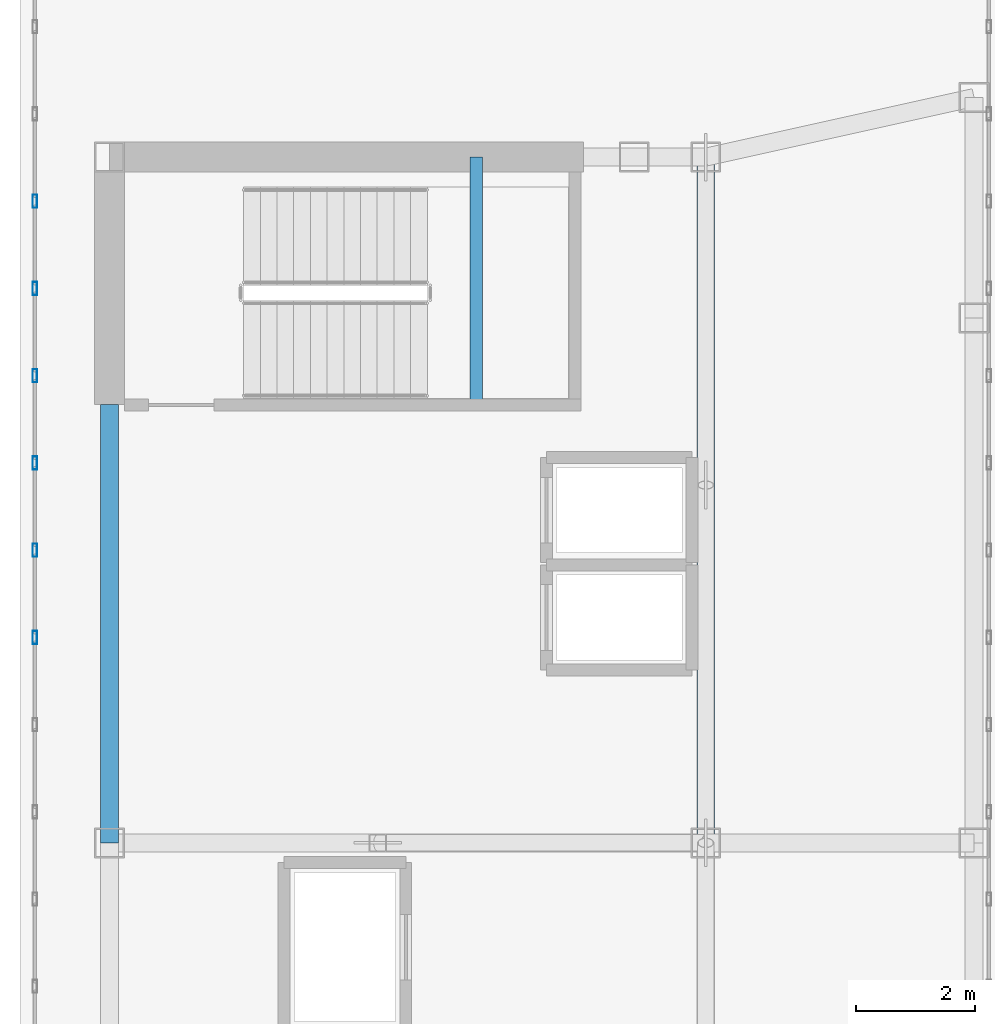
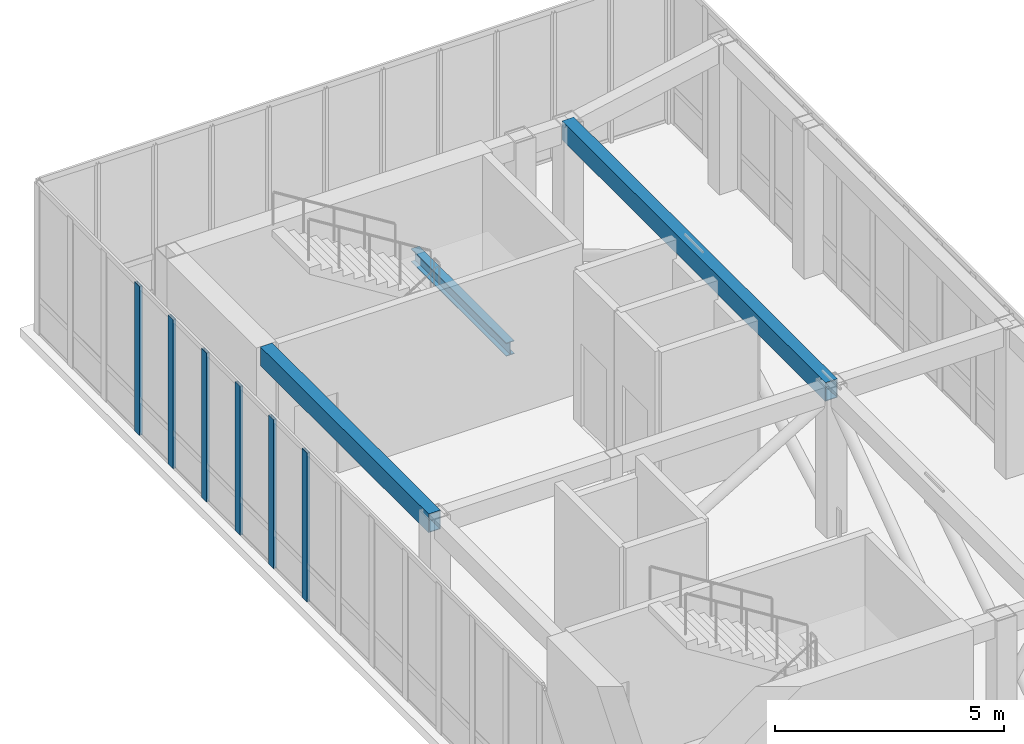
# One storey, part 7 of 13: 6 members, 3 beams, 1 element without a shape of its own.
"""IFC4 building model written with IfcOpenShell, lengths in metres."""

import ifcopenshell
import ifcopenshell.guid

model = None  # the IFC model being written
_history = None  # IfcOwnerHistory: only IFC2X3 demands one
_inside = {}  # id of a spatial element -> (the spatial element, [elements in it])
_under = {}  # id of a project, library or spatial element -> (it, [spatial elements below it])
_declared = {}  # id of a project -> (the project, [libraries it declares])
_typed = {}  # id of a type object -> (the type object, [elements of that type])
_made_of = {}  # id of a material, layer set ... -> (it, [elements and type objects made of it])


def new_model(schema):
    """Start an empty IFC model of exactly this schema.

    Asked for "IFC4X3", IfcOpenShell would pick the latest addendum, in which some entities
    have other attributes; the version numbers below select the first issue.
    IFC2X3 requires an IfcOwnerHistory on every rooted entity: one is made here for all.
    """
    global model, _history
    if schema == "IFC4X3":
        model = ifcopenshell.file(schema_version=(4, 3, 0, 0))
    else:
        model = ifcopenshell.file(schema=schema)
    _inside.clear()
    _under.clear()
    _declared.clear()
    _typed.clear()
    _made_of.clear()
    _history = None
    if model.schema == "IFC2X3":
        org = make("IfcOrganization", Name="unknown")
        user = make(
            "IfcPersonAndOrganization",
            ThePerson=make("IfcPerson", FamilyName="unknown"),
            TheOrganization=org,
        )
        app = make(
            "IfcApplication",
            ApplicationDeveloper=org,
            Version="unknown",
            ApplicationFullName="unknown",
            ApplicationIdentifier="unknown",
        )
        _history = make(
            "IfcOwnerHistory",
            OwningUser=user,
            OwningApplication=app,
            ChangeAction="ADDED",
            CreationDate=0,
        )
    return model


def make(cls, **values):
    """One entity of the class cls with the attributes given. An attribute that is None is left unset."""
    return model.create_entity(
        cls, **{name: value for name, value in values.items() if value is not None}
    )


def rooted(cls, **values):
    """An entity with a GlobalId (a new one), such as an element, a storey or a relation."""
    return make(cls, GlobalId=ifcopenshell.guid.new(), OwnerHistory=_history, **values)


def si_unit(unit_type, name, prefix=None):
    """IfcSIUnit, for example si_unit("LENGTHUNIT", "METRE", prefix="MILLI")."""
    return make("IfcSIUnit", UnitType=unit_type, Prefix=prefix, Name=name)


def assignment(units):
    """IfcUnitAssignment: the units of a project."""
    return None if units is None else make("IfcUnitAssignment", Units=units)


def point(xyz):
    """IfcCartesianPoint."""
    return None if xyz is None else make("IfcCartesianPoint", Coordinates=xyz)


def direction(xyz):
    """IfcDirection."""
    return None if xyz is None else make("IfcDirection", DirectionRatios=xyz)


def frame(location, z_axis=None, x_axis=None):
    """IfcAxis2Placement3D, a coordinate frame: its origin and axes. An axis left out is left unset."""
    return make(
        "IfcAxis2Placement3D",
        Location=point(location),
        Axis=direction(z_axis),
        RefDirection=direction(x_axis),
    )


def frame_2d(location, x_axis=None):
    """IfcAxis2Placement2D, a coordinate frame in the plane: its origin and x axis."""
    return make(
        "IfcAxis2Placement2D", Location=point(location), RefDirection=direction(x_axis)
    )


def origin():
    """The frame at (0, 0, 0) with its axes left unset."""
    return frame((0.0, 0.0, 0.0))


def origin_2d():
    """The frame at (0, 0) in the plane with its x axis left unset."""
    return frame_2d((0.0, 0.0))


def place(relative_to, where):
    """IfcLocalPlacement: puts the frame where relative to a parent placement (None: the world)."""
    return make(
        "IfcLocalPlacement", PlacementRelTo=relative_to, RelativePlacement=where
    )


def context(
    kind, dimensions, precision=None, world=None, true_north=None, identifier=None
):
    """IfcGeometricRepresentationContext, for example the 3D "Model" context."""
    return make(
        "IfcGeometricRepresentationContext",
        ContextIdentifier=identifier,
        ContextType=kind,
        CoordinateSpaceDimension=dimensions,
        Precision=precision,
        WorldCoordinateSystem=world,
        TrueNorth=true_north,
    )


def subcontext(parent, identifier, kind, view, scale=None):
    """IfcGeometricRepresentationSubContext, for example "Body" below "Model"."""
    return make(
        "IfcGeometricRepresentationSubContext",
        ContextIdentifier=identifier,
        ContextType=kind,
        ParentContext=parent,
        TargetScale=scale,
        TargetView=view,
    )


def project(units=None, contexts=None):
    """IfcProject with its units and contexts."""
    return rooted(
        "IfcProject",
        Name="project",
        RepresentationContexts=contexts,
        UnitsInContext=assignment(units),
    )


def spatial(cls, under=None, at=None, **own):
    """A site, building, storey or space (cls), placed at a placement, below another one or the project."""
    s = rooted(cls, ObjectPlacement=at, **own)
    if under is not None:
        _under.setdefault(under.id(), (under, []))[1].append(s)
    return s


def profile(cls, at=None, kind="AREA", **sizes):
    """A parametric profile (cls). Its sizes go by their IFC names, for example OverallWidth=200.0."""
    return make(cls, ProfileType=kind, Position=at, **sizes)


def hollow_rectangle(**sizes):
    """IfcRectangleHollowProfileDef."""
    return profile("IfcRectangleHollowProfileDef", **sizes)


def i_section(**sizes):
    """IfcIShapeProfileDef."""
    return profile("IfcIShapeProfileDef", **sizes)


def extrude(swept, where, along, depth):
    """IfcExtrudedAreaSolid: the profile swept, set in the frame where, extruded along a direction by depth."""
    return make(
        "IfcExtrudedAreaSolid",
        SweptArea=swept,
        Position=where,
        ExtrudedDirection=direction(along),
        Depth=depth,
    )


def shape(context_of_items, identifier, shape_type, items):
    """IfcShapeRepresentation: the items that make up one representation, for example the "Body"."""
    return make(
        "IfcShapeRepresentation",
        ContextOfItems=context_of_items,
        RepresentationIdentifier=identifier,
        RepresentationType=shape_type,
        Items=items,
    )


def source(mapping_origin, context_of_items, identifier, shape_type, items):
    """IfcRepresentationMap: a shape defined once, which mapped items show again and again."""
    return make(
        "IfcRepresentationMap",
        MappingOrigin=mapping_origin,
        MappedRepresentation=shape(context_of_items, identifier, shape_type, items),
    )


def transform(
    local_origin,
    x_axis=None,
    y_axis=None,
    z_axis=None,
    scale=None,
    scale2=None,
    scale3=None,
    uniform=True,
):
    """IfcCartesianTransformationOperator3D, or its non-uniform kind. x_axis, y_axis, z_axis: its Axis1, 2, 3."""
    if uniform:
        return make(
            "IfcCartesianTransformationOperator3D",
            Axis1=direction(x_axis),
            Axis2=direction(y_axis),
            LocalOrigin=point(local_origin),
            Scale=scale,
            Axis3=direction(z_axis),
        )
    return make(
        "IfcCartesianTransformationOperator3DnonUniform",
        Axis1=direction(x_axis),
        Axis2=direction(y_axis),
        LocalOrigin=point(local_origin),
        Scale=scale,
        Axis3=direction(z_axis),
        Scale2=scale2,
        Scale3=scale3,
    )


def mapped(mapping_source, mapping_target):
    """IfcMappedItem: shows the shape of a source again, moved by a transform."""
    return make(
        "IfcMappedItem", MappingSource=mapping_source, MappingTarget=mapping_target
    )


def material(Name=None, Category=None):
    """IfcMaterial."""
    return make("IfcMaterial", Name=Name, Category=Category)


def layer(
    of_material, thickness, ventilated=None, Name=None, Category=None, Priority=None
):
    """IfcMaterialLayer: one layer of a wall or slab, of a material (None: an air gap)."""
    return make(
        "IfcMaterialLayer",
        Material=of_material,
        LayerThickness=thickness,
        IsVentilated=ventilated,
        Name=Name,
        Category=Category,
        Priority=Priority,
    )


def layer_set(layers, Name=None):
    """IfcMaterialLayerSet."""
    return make("IfcMaterialLayerSet", MaterialLayers=layers, LayerSetName=Name)


def material_profile(
    of_material, cross_section, Name=None, Category=None, Priority=None
):
    """IfcMaterialProfile: a cross section and its material."""
    return make(
        "IfcMaterialProfile",
        Name=Name,
        Material=of_material,
        Profile=cross_section,
        Priority=Priority,
        Category=Category,
    )


def profile_set(profiles, Name=None, composite=None):
    """IfcMaterialProfileSet."""
    return make(
        "IfcMaterialProfileSet",
        Name=Name,
        MaterialProfiles=profiles,
        CompositeProfile=composite,
    )


def made_of(thing, what):
    """Note that an element or type object is made of a material, layer set ...; save() writes the relation."""
    if what is not None:
        _made_of.setdefault(what.id(), (what, []))[1].append(thing)
    return thing


def type_object(cls, material=None, **own):
    """A type object (cls), such as IfcWallType, which elements share."""
    return made_of(rooted(cls, **own), material)


def element(
    cls,
    number,
    at=None,
    inside=None,
    cuts=None,
    type_object=None,
    material=None,
    context=None,
    identifier="Body",
    shape_type=None,
    held_by="IfcProductDefinitionShape",
    body=None,
    shapes=None,
    **own,
):
    """One element of the class cls, such as IfcWall. Its Tag is "e" and its number.

    at: its placement. inside: the storey or other place that contains it. cuts: it is an
    opening in that element (IfcRelVoidsElement). A single representation is given by context,
    identifier, shape_type and body (its items); several are given by shapes. held_by: the class
    of the entity that holds the representations. save() writes the other relations.
    """
    e = rooted(cls, Tag="e%d" % number, ObjectPlacement=at, **own)
    if body is not None:
        shapes = [shape(context, identifier, shape_type, body)]
    if shapes is not None:
        e.Representation = make(held_by, Representations=shapes)
    if inside is not None:
        _inside.setdefault(inside.id(), (inside, []))[1].append(e)
    if cuts is not None:
        rooted(
            "IfcRelVoidsElement", RelatingBuildingElement=cuts, RelatedOpeningElement=e
        )
    if type_object is not None:
        _typed.setdefault(type_object.id(), (type_object, []))[1].append(e)
    return made_of(e, material)


def aggregate(whole, parts):
    """IfcRelAggregates: a whole, such as a stair, and the parts it consists of."""
    return rooted("IfcRelAggregates", RelatingObject=whole, RelatedObjects=parts)


def save(model, path):
    """Write the relations noted so far, then the file.

    IfcRelAggregates (storeys below a building ...), IfcRelContainedInSpatialStructure (elements
    in a storey), IfcRelDefinesByType, IfcRelAssociatesMaterial and IfcRelDeclares: one each for
    every whole, place, type object, material and project.
    """
    for whole, parts in _under.values():
        aggregate(whole, parts)
    for where, things in _inside.values():
        rooted(
            "IfcRelContainedInSpatialStructure",
            RelatedElements=things,
            RelatingStructure=where,
        )
    for kind, things in _typed.values():
        rooted("IfcRelDefinesByType", RelatedObjects=things, RelatingType=kind)
    for what, things in _made_of.values():
        rooted("IfcRelAssociatesMaterial", RelatedObjects=things, RelatingMaterial=what)
    for by, libraries in _declared.values():
        rooted("IfcRelDeclares", RelatingContext=by, RelatedDefinitions=libraries)
    model.write(path)


model = new_model("IFC4")

# Units and contexts
model_context = context("Model", 3, precision=1e-05, world=origin(), true_north=direction((0.0, 1.0)))
body_context = subcontext(model_context, "Body", "Model", "MODEL_VIEW")
ifc_project = project(units=[si_unit("LENGTHUNIT", "METRE"), si_unit("AREAUNIT", "SQUARE_METRE"), si_unit("VOLUMEUNIT", "CUBIC_METRE"), si_unit("PLANEANGLEUNIT", "RADIAN"), si_unit("MASSUNIT", "GRAM", prefix="KILO")], contexts=[model_context])

# Site, building, storey
site_placement = place(None, origin())
site = spatial("IfcSite", under=ifc_project, at=site_placement, CompositionType="ELEMENT")
building_placement = place(site_placement, origin())
building = spatial("IfcBuilding", under=site, at=building_placement, Name="Kharzan Plaza Tower", CompositionType="ELEMENT")
storey_placement = place(building_placement, frame((0.0, 0.0, 294.0)))
storey = spatial("IfcBuildingStorey", under=building, at=storey_placement, Name="L79-CROWN", CompositionType="ELEMENT", Elevation=294.0)

# Beams
ifc_material_1 = material(Name="Steel S355", Category="steel")
ifc_material_profile_1 = material_profile(ifc_material_1, i_section(OverallWidth=0.205078125, OverallDepth=0.35400390625, WebThickness=0.009521484375, FlangeThickness=0.016845703125, at=origin_2d()), Name="W360x79")
ifc_profile_set_1 = profile_set([ifc_material_profile_1], Name="Steel S355")
beam_type_1 = type_object("IfcBeamType", Name="BM-LNT360", PredefinedType="LINTEL", material=ifc_profile_set_1)
shared_shape_1 = source(origin(), body_context, "Body", "SweptSolid", [
    extrude(i_section(OverallWidth=0.205078125, OverallDepth=0.35400390625, WebThickness=0.009521484375, FlangeThickness=0.016845703125, at=origin_2d()), origin(), (0.0, 0.0, 1.0), 4.155029296875),
])
beam_1_placement = place(storey_placement, frame((10.64990234375, 25.344970703125, 1.722900390625), z_axis=(0.0, 1.0, 0.0), x_axis=(-1.0, 0.0, 0.0)))
element("IfcBeam", 1, at=beam_1_placement, inside=storey, type_object=beam_type_1, Name="L79-CROWN Stair ST-2 Half-Landing Beam", PredefinedType="LINTEL", context=body_context, shape_type="MappedRepresentation", body=[
    mapped(shared_shape_1, transform((0.0, 0.0, 0.0), x_axis=(1.0, 0.0, 0.0), y_axis=(0.0, 1.0, 0.0), z_axis=(0.0, 0.0, 1.0))),
])
ifc_material_profile_2 = material_profile(ifc_material_1, hollow_rectangle(XDim=0.300048828125, YDim=0.5, WallThickness=0.02001953125, at=origin_2d()), Name="RHS500x300x20")
ifc_profile_set_2 = profile_set([ifc_material_profile_2], Name="Steel S355")
beam_type_2 = type_object("IfcBeamType", Name="BM-CRN500", PredefinedType="BEAM", material=ifc_profile_set_2)
shared_shape_2 = source(origin(), body_context, "Body", "SweptSolid", [
    extrude(hollow_rectangle(XDim=0.300048828125, YDim=0.5, WallThickness=0.02001953125, at=origin_2d()), origin(), (0.0, 0.0, 1.0), 11.5),
])
beam_2_placement = place(storey_placement, frame((14.5, 18.0, 3.719970703125), z_axis=(0.0, 1.0, 0.0), x_axis=(-1.0, 0.0, 0.0)))
element("IfcBeam", 2, at=beam_2_placement, inside=storey, type_object=beam_type_2, Name="L79-CROWN CROWN FRAME Lantern Ring Beam CRB-M2", PredefinedType="BEAM", context=body_context, shape_type="MappedRepresentation", body=[
    mapped(shared_shape_2, transform((0.0, 0.0, 0.0), x_axis=(1.0, 0.0, 0.0), y_axis=(0.0, 1.0, 0.0), z_axis=(0.0, 0.0, 1.0))),
])
shared_shape_3 = source(origin(), body_context, "Body", "SweptSolid", [
    extrude(hollow_rectangle(XDim=0.300048828125, YDim=0.5, WallThickness=0.02001953125, at=origin_2d()), origin(), (0.0, 0.0, 1.0), 7.35009765625),
])
beam_3_placement = place(storey_placement, frame((4.5, 18.0, 3.719970703125), z_axis=(0.0, 1.0, 0.0), x_axis=(-1.0, 0.0, 0.0)))
element("IfcBeam", 3, at=beam_3_placement, inside=storey, type_object=beam_type_2, Name="L79-CROWN CROWN FRAME Lantern Ring Beam CRB-W2", PredefinedType="BEAM", context=body_context, shape_type="MappedRepresentation", body=[
    mapped(shared_shape_3, transform((0.0, 0.0, 0.0), x_axis=(1.0, 0.0, 0.0), y_axis=(0.0, 1.0, 0.0), z_axis=(0.0, 0.0, 1.0))),
])

# Curtain wall, members
ifc_material_2 = material(Name="Unitised Bronze-Anodized Aluminium and Low-E Glass", Category="aluminium")
ifc_layer = layer(ifc_material_2, 0.199951171875)
ifc_layer_set = layer_set([ifc_layer], Name="Unitised Bronze-Anodized Aluminium and Low-E Glass")
curtain_wall_type = type_object("IfcCurtainWallType", Name="CW-LANTERN-6", PredefinedType="NOTDEFINED", material=ifc_layer_set)
curtain_wall_placement = place(storey_placement, origin())
curtain_wall = element("IfcCurtainWall", 4, at=curtain_wall_placement, inside=storey, type_object=curtain_wall_type, Name="L79-CROWN Lantern Crown Illuminated Curtain Wall 4", PredefinedType="NOTDEFINED")
ifc_material_3 = material(Name="Anodized Bronze Aluminium", Category="aluminium")
ifc_material_profile_3 = material_profile(ifc_material_3, hollow_rectangle(XDim=0.074951171875, YDim=0.219970703125, WallThickness=0.00390625, at=origin_2d()), Name="ALU-M220x75x4")
ifc_profile_set_3 = profile_set([ifc_material_profile_3], Name="Anodized Bronze Aluminium")
member_type = type_object("IfcMemberType", Name="MEM-CW-MUL200", PredefinedType="MULLION", material=ifc_profile_set_3)
shared_shape_4 = source(origin(), body_context, "Body", "SweptSolid", [
    extrude(hollow_rectangle(XDim=0.074951171875, YDim=0.219970703125, WallThickness=0.00390625, at=origin_2d()), origin(), (0.0, 0.0, 1.0), 3.969970703125),
])
member_1_placement = place(storey_placement, frame((3.25, 28.760498046875, 0.0), z_axis=(0.0, 0.0, 1.0), x_axis=(1.0, 0.0, 0.0)))
member_1 = element("IfcMember", 5, at=member_1_placement, type_object=member_type, Name="L79-CROWN Curtain-Wall Mullion 03", PredefinedType="MULLION", context=body_context, shape_type="MappedRepresentation", body=[
    mapped(shared_shape_4, transform((0.0, 0.0, 0.0), x_axis=(1.0, 0.0, 0.0), y_axis=(0.0, 1.0, 0.0), z_axis=(0.0, 0.0, 1.0))),
])
member_2_placement = place(storey_placement, frame((3.25, 27.29736328125, 0.0), z_axis=(0.0, 0.0, 1.0), x_axis=(1.0, 0.0, 0.0)))
member_2 = element("IfcMember", 6, at=member_2_placement, type_object=member_type, Name="L79-CROWN Curtain-Wall Mullion 04", PredefinedType="MULLION", context=body_context, shape_type="MappedRepresentation", body=[
    mapped(shared_shape_4, transform((0.0, 0.0, 0.0), x_axis=(1.0, 0.0, 0.0), y_axis=(0.0, 1.0, 0.0), z_axis=(0.0, 0.0, 1.0))),
])
member_3_placement = place(storey_placement, frame((3.25, 25.834228515625, 0.0), z_axis=(0.0, 0.0, 1.0), x_axis=(1.0, 0.0, 0.0)))
member_3 = element("IfcMember", 7, at=member_3_placement, type_object=member_type, Name="L79-CROWN Curtain-Wall Mullion 05", PredefinedType="MULLION", context=body_context, shape_type="MappedRepresentation", body=[
    mapped(shared_shape_4, transform((0.0, 0.0, 0.0), x_axis=(1.0, 0.0, 0.0), y_axis=(0.0, 1.0, 0.0), z_axis=(0.0, 0.0, 1.0))),
])
member_4_placement = place(storey_placement, frame((3.25, 24.37109375, 0.0), z_axis=(0.0, 0.0, 1.0), x_axis=(1.0, 0.0, 0.0)))
member_4 = element("IfcMember", 8, at=member_4_placement, type_object=member_type, Name="L79-CROWN Curtain-Wall Mullion 06", PredefinedType="MULLION", context=body_context, shape_type="MappedRepresentation", body=[
    mapped(shared_shape_4, transform((0.0, 0.0, 0.0), x_axis=(1.0, 0.0, 0.0), y_axis=(0.0, 1.0, 0.0), z_axis=(0.0, 0.0, 1.0))),
])
member_5_placement = place(storey_placement, frame((3.25, 22.907958984375, 0.0), z_axis=(0.0, 0.0, 1.0), x_axis=(1.0, 0.0, 0.0)))
member_5 = element("IfcMember", 9, at=member_5_placement, type_object=member_type, Name="L79-CROWN Curtain-Wall Mullion 07", PredefinedType="MULLION", context=body_context, shape_type="MappedRepresentation", body=[
    mapped(shared_shape_4, transform((0.0, 0.0, 0.0), x_axis=(1.0, 0.0, 0.0), y_axis=(0.0, 1.0, 0.0), z_axis=(0.0, 0.0, 1.0))),
])
member_6_placement = place(storey_placement, frame((3.25, 21.444580078125, 0.0), z_axis=(0.0, 0.0, 1.0), x_axis=(1.0, 0.0, 0.0)))
member_6 = element("IfcMember", 10, at=member_6_placement, type_object=member_type, Name="L79-CROWN Curtain-Wall Mullion 08", PredefinedType="MULLION", context=body_context, shape_type="MappedRepresentation", body=[
    mapped(shared_shape_4, transform((0.0, 0.0, 0.0), x_axis=(1.0, 0.0, 0.0), y_axis=(0.0, 1.0, 0.0), z_axis=(0.0, 0.0, 1.0))),
])
aggregate(curtain_wall, [member_1, member_2, member_3, member_4, member_5, member_6])

save(model, "model.ifc")
